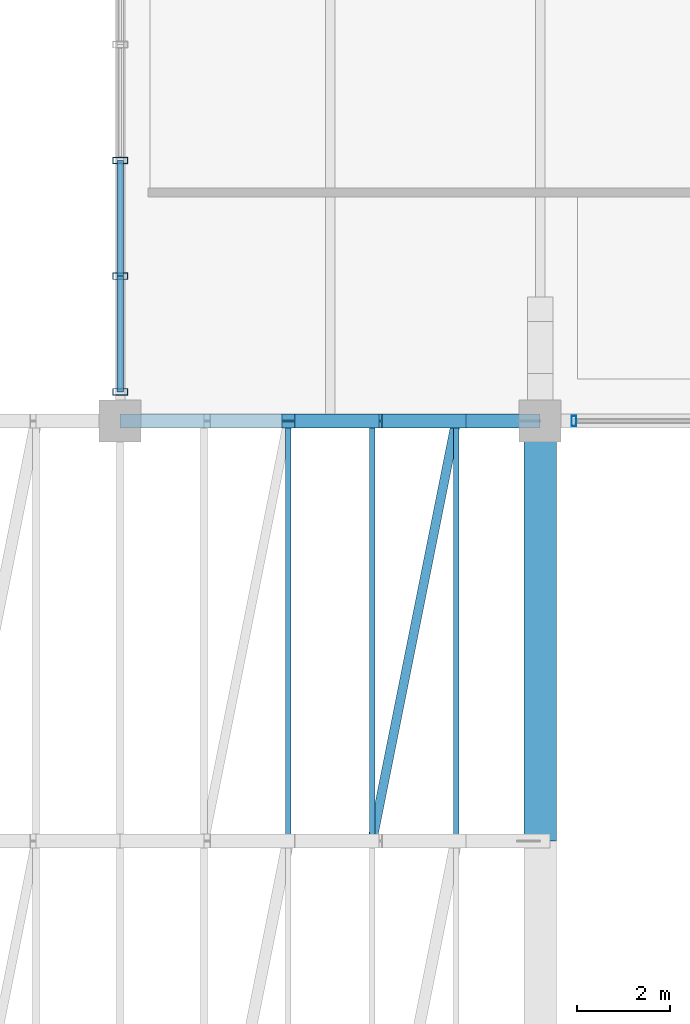
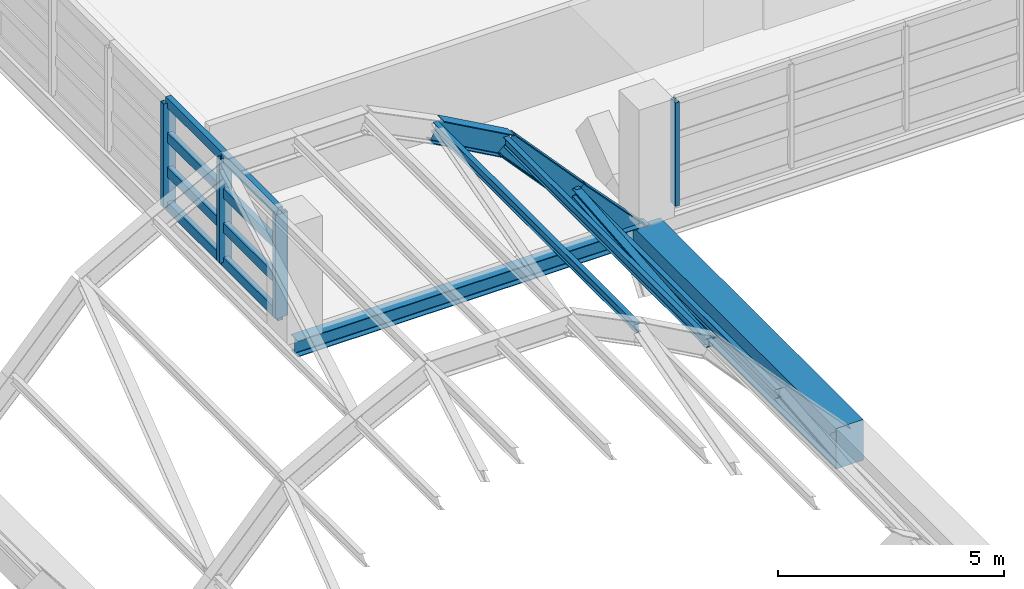
# One storey, part 28 of 86: 16 members, 5 beams, 2 elements without a shape of their own.
"""IFC4 building model written with IfcOpenShell, lengths in metres."""

from ifc_helpers import new_model, si_unit, direction, frame, origin, origin_2d, place, context, subcontext, project, spatial, rectangle, hollow_rectangle, i_section, extrude, material, material_profile, profile_set, type_object, element, aggregate, save


model = new_model("IFC4")

# Units and contexts
model_context = context("Model", 3, precision=1e-05, world=origin(), true_north=direction((0.0, 1.0)))
body_context = subcontext(model_context, "Body", "Model", "MODEL_VIEW")
ifc_project = project(units=[si_unit("LENGTHUNIT", "METRE"), si_unit("AREAUNIT", "SQUARE_METRE"), si_unit("VOLUMEUNIT", "CUBIC_METRE"), si_unit("PLANEANGLEUNIT", "RADIAN"), si_unit("MASSUNIT", "GRAM", prefix="KILO")], contexts=[model_context])

# Site, building, storey
site_placement = place(None, origin())
site = spatial("IfcSite", under=ifc_project, at=site_placement, CompositionType="ELEMENT")
building_placement = place(site_placement, origin())
building = spatial("IfcBuilding", under=site, at=building_placement, Name="Chuanluo Vaults Station", CompositionType="ELEMENT")
storey_placement = place(building_placement, frame((0.0, 0.0, 14.39990234375)))
storey = spatial("IfcBuildingStorey", under=building, at=storey_placement, Name="L03", CompositionType="ELEMENT", Elevation=14.39990234375)

# Beams
ifc_material_1 = material(Name="Steel Q355C", Category="steel")
ifc_material_profile_1 = material_profile(ifc_material_1, i_section(OverallWidth=0.300048828125, OverallDepth=0.43994140625, WebThickness=0.010986328125, FlangeThickness=0.01806640625, FilletRadius=0.02001953125, at=origin_2d()))
ifc_profile_set_1 = profile_set([ifc_material_profile_1], Name="Steel Q355C")
beam_type_1 = type_object("IfcBeamType", Name="BM-GRD-450", PredefinedType="USERDEFINED", material=ifc_profile_set_1)
beam_1_placement = place(storey_placement, frame((117.0, 103.5, -0.43994140625), z_axis=(1.0, 0.0, 0.0), x_axis=(0.0, 1.0, 0.0)))
element("IfcBeam", 1, at=beam_1_placement, inside=storey, type_object=beam_type_1, Name="Floor girder BM:GX:L03:0753", ObjectType="GIRDER", PredefinedType="USERDEFINED", context=body_context, shape_type="SweptSolid", body=[
    extrude(i_section(OverallWidth=0.300048828125, OverallDepth=0.43994140625, WebThickness=0.010986328125, FlangeThickness=0.01806640625, FilletRadius=0.02001953125, at=origin_2d()), origin(), (0.0, 0.0, 1.0), 9.0),
])
ifc_material_2 = material(Name="Concrete C50", Category="concrete")
ifc_material_profile_2 = material_profile(ifc_material_2, rectangle(XDim=0.699951171875, YDim=1.10009765625, at=origin_2d()))
ifc_profile_set_2 = profile_set([ifc_material_profile_2], Name="Concrete C50")
beam_type_2 = type_object("IfcBeamType", Name="BM-VAL-RC", PredefinedType="USERDEFINED", material=ifc_profile_set_2)
beam_2_placement = place(storey_placement, frame((126.0, 94.5, -0.7998046875), z_axis=(0.0, 1.0, 0.0), x_axis=(-1.0, 0.0, 0.0)))
element("IfcBeam", 2, at=beam_2_placement, inside=storey, type_object=beam_type_2, Name="Vault springing valley beam X126-8", ObjectType="GIRDER", PredefinedType="USERDEFINED", context=body_context, shape_type="SweptSolid", body=[
    extrude(rectangle(XDim=0.699951171875, YDim=1.10009765625, at=origin_2d()), origin(), (0.0, 0.0, 1.0), 9.0),
])
ifc_material_3 = material(Name="Steel Q355C", Category="steel")
ifc_material_profile_3 = material_profile(ifc_material_3, i_section(OverallWidth=0.300048828125, OverallDepth=0.587890625, WebThickness=0.011962890625, FlangeThickness=0.02001953125, FilletRadius=0.02392578125, at=origin_2d()))
ifc_profile_set_3 = profile_set([ifc_material_profile_3], Name="Steel Q355C")
beam_type_3 = type_object("IfcBeamType", Name="BM-VLT-600", PredefinedType="USERDEFINED", material=ifc_profile_set_3)
beam_3_placement = place(storey_placement, frame((120.60009765625, 103.5, 4.146240234375), z_axis=(0.873681685546, 0.0, -0.486498008569), x_axis=(0.0, 1.0, 0.0)))
element("IfcBeam", 3, at=beam_3_placement, inside=storey, type_object=beam_type_3, Name="Vault V7 arch rib 9 chord 8", ObjectType="GIRDER", PredefinedType="USERDEFINED", context=body_context, shape_type="SweptSolid", body=[
    extrude(i_section(OverallWidth=0.300048828125, OverallDepth=0.587890625, WebThickness=0.011962890625, FlangeThickness=0.02001953125, FilletRadius=0.02392578125, at=origin_2d()), origin(), (0.0, 0.0, 1.0), 2.06005859375),
])
beam_4_placement = place(storey_placement, frame((122.39990234375, 103.5, 3.14404296875), z_axis=(0.674369120381, 0.0, -0.738394399679), x_axis=(0.0, 1.0, 0.0)))
element("IfcBeam", 4, at=beam_4_placement, inside=storey, type_object=beam_type_3, Name="Vault V7 arch rib 9 chord 9", ObjectType="GIRDER", PredefinedType="USERDEFINED", context=body_context, shape_type="SweptSolid", body=[
    extrude(i_section(OverallWidth=0.300048828125, OverallDepth=0.587890625, WebThickness=0.011962890625, FlangeThickness=0.02001953125, FilletRadius=0.02392578125, at=origin_2d()), origin(), (0.0, 0.0, 1.0), 2.669189453125),
])
beam_5_placement = place(storey_placement, frame((124.199951171875, 103.5, 1.173095703125), z_axis=(0.684521510403, 0.0, -0.728992662374), x_axis=(0.0, 1.0, 0.0)))
element("IfcBeam", 5, at=beam_5_placement, inside=storey, type_object=beam_type_3, Name="Vault V7 arch rib 9 chord 10", ObjectType="GIRDER", PredefinedType="USERDEFINED", context=body_context, shape_type="SweptSolid", body=[
    extrude(i_section(OverallWidth=0.300048828125, OverallDepth=0.587890625, WebThickness=0.011962890625, FlangeThickness=0.02001953125, FilletRadius=0.02392578125, at=origin_2d()), origin(), (0.0, 0.0, 1.0), 2.629638671875),
])

# Curtain wall, member
ifc_material_4 = material(Name="Anodised aluminium 6063-T6", Category="aluminium")
curtain_wall_type_1 = type_object("IfcCurtainWallType", Name="CW-SYS-28", PredefinedType="NOTDEFINED", material=ifc_material_4)
curtain_wall_1_placement = place(storey_placement, origin())
curtain_wall_1 = element("IfcCurtainWall", 6, at=curtain_wall_1_placement, inside=storey, type_object=curtain_wall_type_1, Name="Operations L03 facade CW part 2", PredefinedType="NOTDEFINED")
ifc_material_5 = material(Name="Anodised aluminium 6063-T6", Category="aluminium")
ifc_material_profile_4 = material_profile(ifc_material_5, hollow_rectangle(XDim=0.10498046875, YDim=0.219970703125, WallThickness=0.006103515625, at=origin_2d()))
ifc_profile_set_4 = profile_set([ifc_material_profile_4], Name="Anodised aluminium 6063-T6")
member_type_1 = type_object("IfcMemberType", Name="CWM-140", PredefinedType="MULLION", material=ifc_profile_set_4)
member_1_placement = place(storey_placement, frame((126.72509765625, 103.5, 0.0), z_axis=(0.0, 0.0, 1.0), x_axis=(-1.0, 0.0, 0.0)))
member_1 = element("IfcMember", 7, at=member_1_placement, type_object=member_type_1, Name="Operations L03 facade CW part 2 mullion 4", PredefinedType="MULLION", context=body_context, shape_type="SweptSolid", body=[
    extrude(hollow_rectangle(XDim=0.10498046875, YDim=0.219970703125, WallThickness=0.006103515625, at=origin_2d()), origin(), (0.0, 0.0, 1.0), 2.800048828125),
])
aggregate(curtain_wall_1, [member_1])

# Curtain wall, members
ifc_material_6 = material(Name="Anodised aluminium 6063-T6", Category="aluminium")
curtain_wall_type_2 = type_object("IfcCurtainWallType", Name="CW-SYS-01", PredefinedType="NOTDEFINED", material=ifc_material_6)
curtain_wall_2_placement = place(storey_placement, origin())
curtain_wall_2 = element("IfcCurtainWall", 8, at=curtain_wall_2_placement, inside=storey, type_object=curtain_wall_type_2, Name="Operations L03 facade CW", PredefinedType="NOTDEFINED")
ifc_material_7 = material(Name="Anodised aluminium 6063-T6", Category="aluminium")
ifc_material_profile_5 = material_profile(ifc_material_7, hollow_rectangle(XDim=0.139892578125, YDim=0.320068359375, WallThickness=0.008056640625, at=origin_2d()))
ifc_profile_set_5 = profile_set([ifc_material_profile_5], Name="Anodised aluminium 6063-T6")
member_type_2 = type_object("IfcMemberType", Name="CWM-220", PredefinedType="MULLION", material=ifc_profile_set_5)
member_2_placement = place(storey_placement, frame((117.0, 104.125, 0.0), z_axis=(0.0, 0.0, 1.0), x_axis=(0.0, 1.0, 0.0)))
member_2 = element("IfcMember", 9, at=member_2_placement, type_object=member_type_2, Name="Operations L03 facade CW mullion 1", PredefinedType="MULLION", context=body_context, shape_type="SweptSolid", body=[
    extrude(hollow_rectangle(XDim=0.139892578125, YDim=0.320068359375, WallThickness=0.008056640625, at=origin_2d()), origin(), (0.0, 0.0, 1.0), 2.800048828125),
])
member_3_placement = place(storey_placement, frame((117.0, 106.60498046875, 0.0), z_axis=(0.0, 0.0, 1.0), x_axis=(0.0, 1.0, 0.0)))
member_3 = element("IfcMember", 10, at=member_3_placement, type_object=member_type_2, Name="Operations L03 facade CW mullion 2", PredefinedType="MULLION", context=body_context, shape_type="SweptSolid", body=[
    extrude(hollow_rectangle(XDim=0.139892578125, YDim=0.320068359375, WallThickness=0.008056640625, at=origin_2d()), origin(), (0.0, 0.0, 1.0), 2.800048828125),
])
member_4_placement = place(storey_placement, frame((117.0, 109.0849609375, 0.0), z_axis=(0.0, 0.0, 1.0), x_axis=(0.0, 1.0, 0.0)))
member_4 = element("IfcMember", 11, at=member_4_placement, type_object=member_type_2, Name="Operations L03 facade CW mullion 3", PredefinedType="MULLION", context=body_context, shape_type="SweptSolid", body=[
    extrude(hollow_rectangle(XDim=0.139892578125, YDim=0.320068359375, WallThickness=0.008056640625, at=origin_2d()), origin(), (0.0, 0.0, 1.0), 2.800048828125),
])
ifc_material_8 = material(Name="Anodised aluminium 6063-T6", Category="aluminium")
ifc_material_profile_6 = material_profile(ifc_material_8, hollow_rectangle(XDim=0.139892578125, YDim=0.260009765625, WallThickness=0.007080078125, at=origin_2d()))
ifc_profile_set_6 = profile_set([ifc_material_profile_6], Name="Anodised aluminium 6063-T6")
member_type_3 = type_object("IfcMemberType", Name="CWT-180", PredefinedType="USERDEFINED", material=ifc_profile_set_6)
member_5_placement = place(storey_placement, frame((117.0, 104.125, 0.0), z_axis=(0.0, 1.0, 0.0), x_axis=(-1.0, 0.0, 0.0)))
member_5 = element("IfcMember", 12, at=member_5_placement, type_object=member_type_3, Name="Operations L03 facade CW transom 1.1", ObjectType="TRANSOM", PredefinedType="USERDEFINED", context=body_context, shape_type="SweptSolid", body=[
    extrude(hollow_rectangle(XDim=0.139892578125, YDim=0.260009765625, WallThickness=0.007080078125, at=origin_2d()), origin(), (0.0, 0.0, 1.0), 2.47998046875),
])
member_6_placement = place(storey_placement, frame((117.0, 104.125, 0.933349609375), z_axis=(0.0, 1.0, 0.0), x_axis=(-1.0, 0.0, 0.0)))
member_6 = element("IfcMember", 13, at=member_6_placement, type_object=member_type_3, Name="Operations L03 facade CW transom 1.2", ObjectType="TRANSOM", PredefinedType="USERDEFINED", context=body_context, shape_type="SweptSolid", body=[
    extrude(hollow_rectangle(XDim=0.139892578125, YDim=0.260009765625, WallThickness=0.007080078125, at=origin_2d()), origin(), (0.0, 0.0, 1.0), 2.47998046875),
])
member_7_placement = place(storey_placement, frame((117.0, 104.125, 1.86669921875), z_axis=(0.0, 1.0, 0.0), x_axis=(-1.0, 0.0, 0.0)))
member_7 = element("IfcMember", 14, at=member_7_placement, type_object=member_type_3, Name="Operations L03 facade CW transom 1.3", ObjectType="TRANSOM", PredefinedType="USERDEFINED", context=body_context, shape_type="SweptSolid", body=[
    extrude(hollow_rectangle(XDim=0.139892578125, YDim=0.260009765625, WallThickness=0.007080078125, at=origin_2d()), origin(), (0.0, 0.0, 1.0), 2.47998046875),
])
member_8_placement = place(storey_placement, frame((117.0, 104.125, 2.800048828125), z_axis=(0.0, 1.0, 0.0), x_axis=(-1.0, 0.0, 0.0)))
member_8 = element("IfcMember", 15, at=member_8_placement, type_object=member_type_3, Name="Operations L03 facade CW transom 1.4", ObjectType="TRANSOM", PredefinedType="USERDEFINED", context=body_context, shape_type="SweptSolid", body=[
    extrude(hollow_rectangle(XDim=0.139892578125, YDim=0.260009765625, WallThickness=0.007080078125, at=origin_2d()), origin(), (0.0, 0.0, 1.0), 2.47998046875),
])
member_9_placement = place(storey_placement, frame((117.0, 106.60498046875, 0.0), z_axis=(0.0, 1.0, 0.0), x_axis=(-1.0, 0.0, 0.0)))
member_9 = element("IfcMember", 16, at=member_9_placement, type_object=member_type_3, Name="Operations L03 facade CW transom 2.1", ObjectType="TRANSOM", PredefinedType="USERDEFINED", context=body_context, shape_type="SweptSolid", body=[
    extrude(hollow_rectangle(XDim=0.139892578125, YDim=0.260009765625, WallThickness=0.007080078125, at=origin_2d()), origin(), (0.0, 0.0, 1.0), 2.47998046875),
])
member_10_placement = place(storey_placement, frame((117.0, 106.60498046875, 0.933349609375), z_axis=(0.0, 1.0, 0.0), x_axis=(-1.0, 0.0, 0.0)))
member_10 = element("IfcMember", 17, at=member_10_placement, type_object=member_type_3, Name="Operations L03 facade CW transom 2.2", ObjectType="TRANSOM", PredefinedType="USERDEFINED", context=body_context, shape_type="SweptSolid", body=[
    extrude(hollow_rectangle(XDim=0.139892578125, YDim=0.260009765625, WallThickness=0.007080078125, at=origin_2d()), origin(), (0.0, 0.0, 1.0), 2.47998046875),
])
member_11_placement = place(storey_placement, frame((117.0, 106.60498046875, 1.86669921875), z_axis=(0.0, 1.0, 0.0), x_axis=(-1.0, 0.0, 0.0)))
member_11 = element("IfcMember", 18, at=member_11_placement, type_object=member_type_3, Name="Operations L03 facade CW transom 2.3", ObjectType="TRANSOM", PredefinedType="USERDEFINED", context=body_context, shape_type="SweptSolid", body=[
    extrude(hollow_rectangle(XDim=0.139892578125, YDim=0.260009765625, WallThickness=0.007080078125, at=origin_2d()), origin(), (0.0, 0.0, 1.0), 2.47998046875),
])
member_12_placement = place(storey_placement, frame((117.0, 106.60498046875, 2.800048828125), z_axis=(0.0, 1.0, 0.0), x_axis=(-1.0, 0.0, 0.0)))
member_12 = element("IfcMember", 19, at=member_12_placement, type_object=member_type_3, Name="Operations L03 facade CW transom 2.4", ObjectType="TRANSOM", PredefinedType="USERDEFINED", context=body_context, shape_type="SweptSolid", body=[
    extrude(hollow_rectangle(XDim=0.139892578125, YDim=0.260009765625, WallThickness=0.007080078125, at=origin_2d()), origin(), (0.0, 0.0, 1.0), 2.47998046875),
])
aggregate(curtain_wall_2, [member_2, member_3, member_4, member_5, member_6, member_7, member_8, member_9, member_10, member_11, member_12])

# Members
ifc_material_9 = material(Name="Steel Q355C", Category="steel")
ifc_material_profile_7 = material_profile(ifc_material_9, i_section(OverallWidth=0.125, OverallDepth=0.25, WebThickness=0.006103515625, FlangeThickness=0.009033203125, FilletRadius=0.011962890625, at=origin_2d()))
ifc_profile_set_7 = profile_set([ifc_material_profile_7], Name="Steel Q355C")
member_type_4 = type_object("IfcMemberType", Name="MEM-PUR-250", PredefinedType="PURLIN", material=ifc_profile_set_7)
for number, where, z_axis, x_axis, name in (
    (20, (120.60009765625, 94.5, 4.23779296875), (0.0, 1.0, 0.0), (-1.0, 0.0, 0.0), "Vault V7 purlin 8.7"),
    (21, (122.39990234375, 94.5, 3.206787109375), (0.0, 1.0, 0.0), (-1.0, 0.0, 0.0), "Vault V7 purlin 8.8"),
    (22, (124.199951171875, 94.5, 1.213134765625), (0.0, 1.0, 0.0), (-1.0, 0.0, 0.0), "Vault V7 purlin 8.9"),
):
    element("IfcMember", number, at=place(storey_placement, frame(where, z_axis=z_axis, x_axis=x_axis)), inside=storey, type_object=member_type_4, Name=name, PredefinedType="PURLIN", context=body_context, shape_type="SweptSolid", body=[
        extrude(i_section(OverallWidth=0.125, OverallDepth=0.25, WebThickness=0.006103515625, FlangeThickness=0.009033203125, FilletRadius=0.011962890625, at=origin_2d()), origin(), (0.0, 0.0, 1.0), 9.0),
    ])
ifc_material_10 = material(Name="Steel Q355C", Category="steel")
ifc_material_profile_8 = material_profile(ifc_material_10, i_section(OverallWidth=0.199951171875, OverallDepth=0.199951171875, WebThickness=0.008056640625, FlangeThickness=0.011962890625, FilletRadius=0.012939453125, at=origin_2d()))
ifc_profile_set_8 = profile_set([ifc_material_profile_8], Name="Steel Q355C")
member_type_5 = type_object("IfcMemberType", Name="MEM-VBR-200", PredefinedType="BRACE", material=ifc_profile_set_8)
member_13_placement = place(storey_placement, frame((122.39990234375, 94.5, 3.206787109375), z_axis=(0.191652062064, 0.958234316551, -0.212265121228), x_axis=(-0.980579652604, 0.196121250506, 0.0)))
element("IfcMember", 23, at=member_13_placement, inside=storey, type_object=member_type_5, Name="Vault V7 space-frame diagonal 8.8", PredefinedType="BRACE", context=body_context, shape_type="SweptSolid", body=[
    extrude(i_section(OverallWidth=0.199951171875, OverallDepth=0.199951171875, WebThickness=0.008056640625, FlangeThickness=0.011962890625, FilletRadius=0.012939453125, at=origin_2d()), origin(), (0.0, 0.0, 1.0), 9.392333984375),
])

save(model, "model.ifc")
